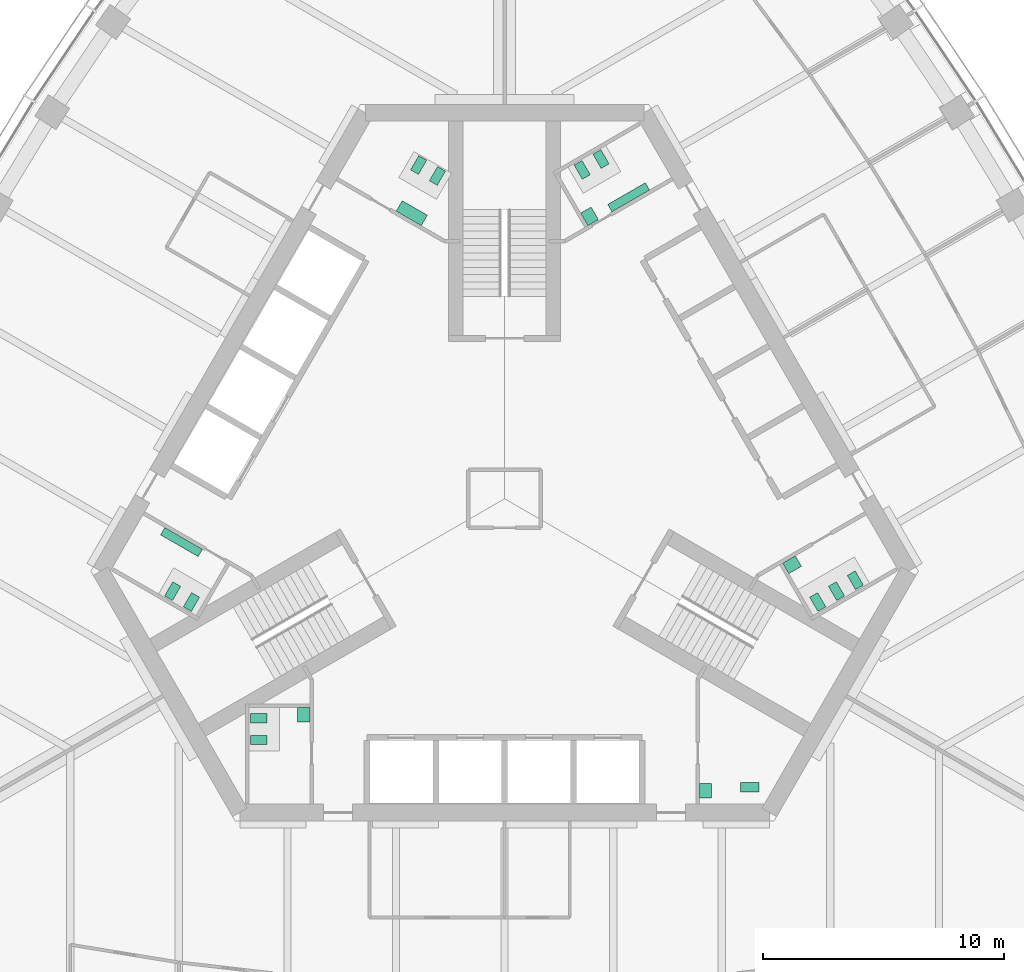
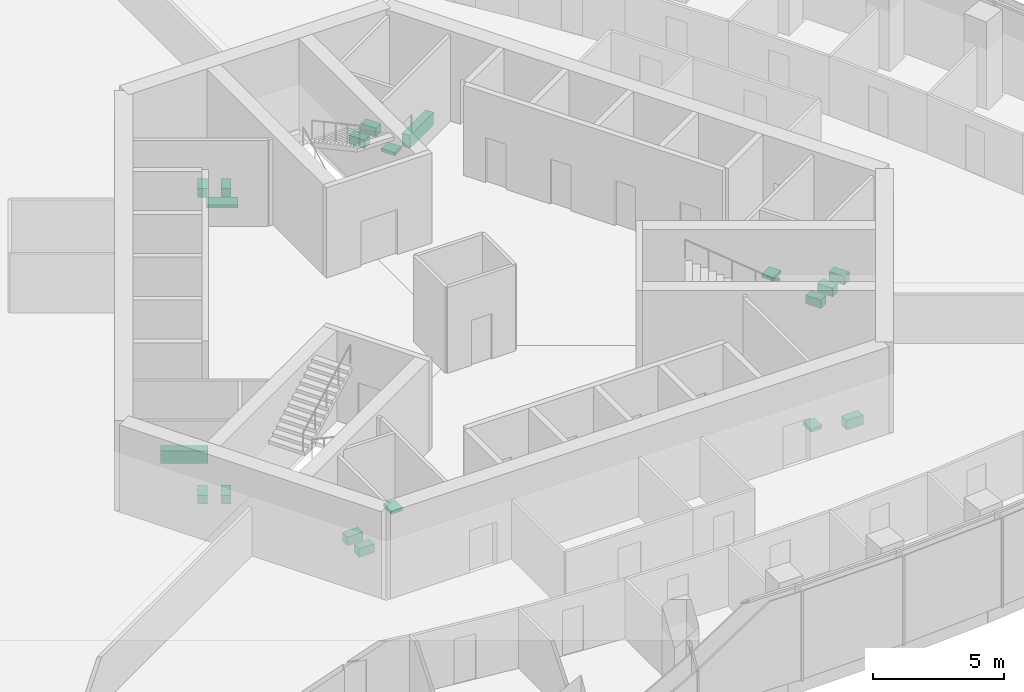
# One storey, part 18 of 19: 19 sanitary terminals.
"""IFC4 building model written with IfcOpenShell, lengths in metres."""

from ifc_helpers import new_model, si_unit, direction, frame, origin, place, context, subcontext, project, spatial, polyline, outline, extrude, material, type_object, element, save


model = new_model("IFC4")

# Units and contexts
model_context = context("Model", 3, precision=1e-05, world=origin(), true_north=direction((0.0, 1.0)))
body_context = subcontext(model_context, "Body", "Model", "MODEL_VIEW")
ifc_project = project(units=[si_unit("LENGTHUNIT", "METRE"), si_unit("AREAUNIT", "SQUARE_METRE"), si_unit("VOLUMEUNIT", "CUBIC_METRE"), si_unit("PLANEANGLEUNIT", "RADIAN"), si_unit("MASSUNIT", "GRAM", prefix="KILO")], contexts=[model_context])

# Site, building, storey
site_placement = place(None, origin())
site = spatial("IfcSite", under=ifc_project, at=site_placement, CompositionType="ELEMENT")
building_placement = place(site_placement, origin())
building = spatial("IfcBuilding", under=site, at=building_placement, Name="Trefoil Bronze Tower", CompositionType="ELEMENT")
storey_placement = place(building_placement, frame((0.0, 0.0, 235.89990234375)))
storey = spatial("IfcBuildingStorey", under=building, at=storey_placement, Name="L54", CompositionType="ELEMENT", Elevation=235.89990234375)

# Sanitary terminals
ifc_material_1 = material(Name="Vitreous china", Category="ceramic")
sanitary_terminal_type_1 = type_object("IfcSanitaryTerminalType", Name="Accessible WC pan", PredefinedType="TOILETPAN", material=ifc_material_1)
sanitary_terminal_1_placement = place(storey_placement, origin())
element("IfcSanitaryTerminal", 1, at=sanitary_terminal_1_placement, inside=storey, type_object=sanitary_terminal_type_1, Name="WC pan 1 Accessible WC L54", PredefinedType="TOILETPAN", context=body_context, shape_type="SweptSolid", body=[
    extrude(outline(polyline([(9.784912109375, -11.77001953125), (10.534912109375, -11.77001953125), (10.534912109375, -12.14990234375), (9.784912109375, -12.14990234375), (9.784912109375, -11.77001953125)])), origin(), (0.0, 0.0, 1.0), 0.4501953125),
])
ifc_material_2 = material(Name="Vitreous china", Category="ceramic")
sanitary_terminal_type_2 = type_object("IfcSanitaryTerminalType", Name="Accessible basin", PredefinedType="WASHHANDBASIN", material=ifc_material_2)
sanitary_terminal_2_placement = place(storey_placement, frame((0.0, 0.0, 0.650146484375)))
element("IfcSanitaryTerminal", 2, at=sanitary_terminal_2_placement, inside=storey, type_object=sanitary_terminal_type_2, Name="Wash basin Accessible WC L54", PredefinedType="WASHHANDBASIN", context=body_context, shape_type="SweptSolid", body=[
    extrude(outline(polyline([(8.074951171875, -11.800048828125), (8.574951171875, -11.800048828125), (8.574951171875, -12.39990234375), (8.074951171875, -12.39990234375), (8.074951171875, -11.800048828125)])), origin(), (0.0, 0.0, 1.0), 0.14990234375),
])
ifc_material_3 = material(Name="Vitreous china", Category="ceramic")
sanitary_terminal_type_3 = type_object("IfcSanitaryTerminalType", Name="Urinal range 3 urinals", PredefinedType="URINAL", material=ifc_material_3)
sanitary_terminal_3_placement = place(storey_placement, frame((0.0, 0.0, 0.400146484375)))
element("IfcSanitaryTerminal", 3, at=sanitary_terminal_3_placement, inside=storey, type_object=sanitary_terminal_type_3, Name="Urinal range WC (men) L54", PredefinedType="URINAL", context=body_context, shape_type="SweptSolid", body=[
    extrude(outline(polyline([(4.449462890625, 11.89306640625), (4.274658203125, 12.1962890625), (5.83349609375, 13.09619140625), (6.00830078125, 12.793212890625), (4.449462890625, 11.89306640625)])), origin(), (0.0, 0.0, 1.0), 0.599853515625),
])
sanitary_terminal_4_placement = place(storey_placement, frame((0.0, 0.0, 0.400146484375)))
element("IfcSanitaryTerminal", 4, at=sanitary_terminal_4_placement, inside=storey, type_object=sanitary_terminal_type_3, Name="Urinal range WC (men) L54", PredefinedType="URINAL", context=body_context, shape_type="SweptSolid", body=[
    extrude(outline(polyline([(-12.524658203125, -2.09326171875), (-12.699462890625, -2.396240234375), (-14.25830078125, -1.496337890625), (-14.08349609375, -1.193115234375), (-12.524658203125, -2.09326171875)])), origin(), (0.0, 0.0, 1.0), 0.599853515625),
])
ifc_material_4 = material(Name="Solid surface vanity", Category="plastic")
sanitary_terminal_type_4 = type_object("IfcSanitaryTerminalType", Name="Vanity unit 1 basins", PredefinedType="WASHHANDBASIN", material=ifc_material_4)
sanitary_terminal_5_placement = place(storey_placement, frame((0.0, 0.0, 0.75)))
element("IfcSanitaryTerminal", 5, at=sanitary_terminal_5_placement, inside=storey, type_object=sanitary_terminal_type_4, Name="Vanity unit WC (women) L54", PredefinedType="WASHHANDBASIN", context=body_context, shape_type="SweptSolid", body=[
    extrude(outline(polyline([(11.528564453125, -2.668212890625), (11.778564453125, -3.10107421875), (12.29833984375, -2.80126953125), (12.04833984375, -2.3681640625), (11.528564453125, -2.668212890625)])), origin(), (0.0, 0.0, 1.0), 0.150146484375),
])
sanitary_terminal_6_placement = place(storey_placement, frame((0.0, 0.0, 0.75)))
element("IfcSanitaryTerminal", 6, at=sanitary_terminal_6_placement, inside=storey, type_object=sanitary_terminal_type_4, Name="Vanity unit WC (men) L54", PredefinedType="WASHHANDBASIN", context=body_context, shape_type="SweptSolid", body=[
    extrude(outline(polyline([(3.45361328125, 11.318115234375), (3.153564453125, 11.837890625), (3.586669921875, 12.087890625), (3.88671875, 11.568115234375), (3.45361328125, 11.318115234375)])), origin(), (0.0, 0.0, 1.0), 0.150146484375),
])
sanitary_terminal_7_placement = place(storey_placement, frame((0.0, 0.0, 0.75)))
element("IfcSanitaryTerminal", 7, at=sanitary_terminal_7_placement, inside=storey, type_object=sanitary_terminal_type_4, Name="Vanity unit WC (women) L54", PredefinedType="WASHHANDBASIN", context=body_context, shape_type="SweptSolid", body=[
    extrude(outline(polyline([(-8.074951171875, -8.64990234375), (-8.574951171875, -8.64990234375), (-8.574951171875, -9.25), (-8.074951171875, -9.25), (-8.074951171875, -8.64990234375)])), origin(), (0.0, 0.0, 1.0), 0.150146484375),
])
ifc_material_5 = material(Name="Solid surface vanity", Category="plastic")
sanitary_terminal_type_5 = type_object("IfcSanitaryTerminalType", Name="Vanity unit 2 basins", PredefinedType="WASHHANDBASIN", material=ifc_material_5)
sanitary_terminal_8_placement = place(storey_placement, frame((0.0, 0.0, 0.75)))
element("IfcSanitaryTerminal", 8, at=sanitary_terminal_8_placement, inside=storey, type_object=sanitary_terminal_type_5, Name="Vanity unit WC (women) L54", PredefinedType="WASHHANDBASIN", context=body_context, shape_type="SweptSolid", body=[
    extrude(outline(polyline([(-3.45361328125, 11.318115234375), (-3.20361328125, 11.751220703125), (-4.242919921875, 12.35107421875), (-4.492919921875, 11.918212890625), (-3.45361328125, 11.318115234375)])), origin(), (0.0, 0.0, 1.0), 0.150146484375),
])
ifc_material_6 = material(Name="Vitreous china", Category="ceramic")
sanitary_terminal_type_6 = type_object("IfcSanitaryTerminalType", Name="WC pan", PredefinedType="TOILETPAN", material=ifc_material_6)
sanitary_terminal_9_placement = place(storey_placement, origin())
element("IfcSanitaryTerminal", 9, at=sanitary_terminal_9_placement, inside=storey, type_object=sanitary_terminal_type_6, Name="WC pan 1 WC (women) L54", PredefinedType="TOILETPAN", context=body_context, shape_type="SweptSolid", body=[
    extrude(outline(polyline([(12.643798828125, -4.07958984375), (12.98388671875, -4.66845703125), (13.31298828125, -4.478515625), (12.972900390625, -3.8896484375), (12.643798828125, -4.07958984375)])), origin(), (0.0, 0.0, 1.0), 0.400146484375),
])
sanitary_terminal_10_placement = place(storey_placement, origin())
element("IfcSanitaryTerminal", 10, at=sanitary_terminal_10_placement, inside=storey, type_object=sanitary_terminal_type_6, Name="WC pan 2 WC (women) L54", PredefinedType="TOILETPAN", context=body_context, shape_type="SweptSolid", body=[
    extrude(outline(polyline([(13.423095703125, -3.629638671875), (13.76318359375, -4.218505859375), (14.09228515625, -4.028564453125), (13.752197265625, -3.439697265625), (13.423095703125, -3.629638671875)])), origin(), (0.0, 0.0, 1.0), 0.400146484375),
])
sanitary_terminal_11_placement = place(storey_placement, origin())
element("IfcSanitaryTerminal", 11, at=sanitary_terminal_11_placement, inside=storey, type_object=sanitary_terminal_type_6, Name="WC pan 3 WC (women) L54", PredefinedType="TOILETPAN", context=body_context, shape_type="SweptSolid", body=[
    extrude(outline(polyline([(14.20263671875, -3.1796875), (14.542724609375, -3.7685546875), (14.871826171875, -3.57861328125), (14.53173828125, -2.98974609375), (14.20263671875, -3.1796875)])), origin(), (0.0, 0.0, 1.0), 0.400146484375),
])
sanitary_terminal_12_placement = place(storey_placement, origin())
element("IfcSanitaryTerminal", 12, at=sanitary_terminal_12_placement, inside=storey, type_object=sanitary_terminal_type_6, Name="WC pan 1 WC (men) L54", PredefinedType="TOILETPAN", context=body_context, shape_type="SweptSolid", body=[
    extrude(outline(polyline([(3.2216796875, 13.23974609375), (2.8818359375, 13.82861328125), (3.2109375, 14.0185546875), (3.55078125, 13.4296875), (3.2216796875, 13.23974609375)])), origin(), (0.0, 0.0, 1.0), 0.400146484375),
])
sanitary_terminal_13_placement = place(storey_placement, origin())
element("IfcSanitaryTerminal", 13, at=sanitary_terminal_13_placement, inside=storey, type_object=sanitary_terminal_type_6, Name="WC pan 2 WC (men) L54", PredefinedType="TOILETPAN", context=body_context, shape_type="SweptSolid", body=[
    extrude(outline(polyline([(4.001220703125, 13.689697265625), (3.6611328125, 14.278564453125), (3.990234375, 14.468505859375), (4.330322265625, 13.879638671875), (4.001220703125, 13.689697265625)])), origin(), (0.0, 0.0, 1.0), 0.400146484375),
])
sanitary_terminal_14_placement = place(storey_placement, origin())
element("IfcSanitaryTerminal", 14, at=sanitary_terminal_14_placement, inside=storey, type_object=sanitary_terminal_type_6, Name="WC pan 1 WC (women) L54", PredefinedType="TOILETPAN", context=body_context, shape_type="SweptSolid", body=[
    extrude(outline(polyline([(-2.788818359375, 12.98974609375), (-2.44873046875, 13.57861328125), (-2.77783203125, 13.7685546875), (-3.117919921875, 13.1796875), (-2.788818359375, 12.98974609375)])), origin(), (0.0, 0.0, 1.0), 0.400146484375),
])
sanitary_terminal_15_placement = place(storey_placement, origin())
element("IfcSanitaryTerminal", 15, at=sanitary_terminal_15_placement, inside=storey, type_object=sanitary_terminal_type_6, Name="WC pan 2 WC (women) L54", PredefinedType="TOILETPAN", context=body_context, shape_type="SweptSolid", body=[
    extrude(outline(polyline([(-3.568115234375, 13.439697265625), (-3.228271484375, 14.028564453125), (-3.557373046875, 14.218505859375), (-3.897216796875, 13.629638671875), (-3.568115234375, 13.439697265625)])), origin(), (0.0, 0.0, 1.0), 0.400146484375),
])
sanitary_terminal_16_placement = place(storey_placement, origin())
element("IfcSanitaryTerminal", 16, at=sanitary_terminal_16_placement, inside=storey, type_object=sanitary_terminal_type_6, Name="WC pan 1 WC (men) L54", PredefinedType="TOILETPAN", context=body_context, shape_type="SweptSolid", body=[
    extrude(outline(polyline([(-12.643798828125, -4.07958984375), (-12.98388671875, -4.66845703125), (-13.31298828125, -4.478515625), (-12.972900390625, -3.8896484375), (-12.643798828125, -4.07958984375)])), origin(), (0.0, 0.0, 1.0), 0.400146484375),
])
sanitary_terminal_17_placement = place(storey_placement, origin())
element("IfcSanitaryTerminal", 17, at=sanitary_terminal_17_placement, inside=storey, type_object=sanitary_terminal_type_6, Name="WC pan 2 WC (men) L54", PredefinedType="TOILETPAN", context=body_context, shape_type="SweptSolid", body=[
    extrude(outline(polyline([(-13.423095703125, -3.629638671875), (-13.76318359375, -4.218505859375), (-14.09228515625, -4.028564453125), (-13.752197265625, -3.439697265625), (-13.423095703125, -3.629638671875)])), origin(), (0.0, 0.0, 1.0), 0.400146484375),
])
sanitary_terminal_18_placement = place(storey_placement, origin())
element("IfcSanitaryTerminal", 18, at=sanitary_terminal_18_placement, inside=storey, type_object=sanitary_terminal_type_6, Name="WC pan 1 WC (women) L54", PredefinedType="TOILETPAN", context=body_context, shape_type="SweptSolid", body=[
    extrude(outline(polyline([(-9.85498046875, -8.909912109375), (-10.534912109375, -8.909912109375), (-10.534912109375, -9.2900390625), (-9.85498046875, -9.2900390625), (-9.85498046875, -8.909912109375)])), origin(), (0.0, 0.0, 1.0), 0.400146484375),
])
sanitary_terminal_19_placement = place(storey_placement, origin())
element("IfcSanitaryTerminal", 19, at=sanitary_terminal_19_placement, inside=storey, type_object=sanitary_terminal_type_6, Name="WC pan 2 WC (women) L54", PredefinedType="TOILETPAN", context=body_context, shape_type="SweptSolid", body=[
    extrude(outline(polyline([(-9.85498046875, -9.81005859375), (-10.534912109375, -9.81005859375), (-10.534912109375, -10.18994140625), (-9.85498046875, -10.18994140625), (-9.85498046875, -9.81005859375)])), origin(), (0.0, 0.0, 1.0), 0.400146484375),
])

save(model, "model.ifc")
